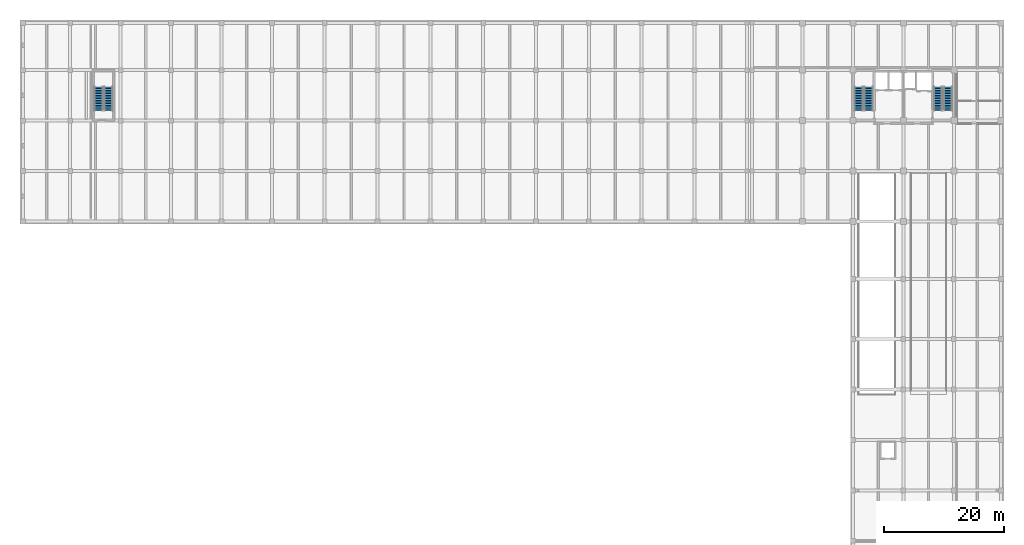
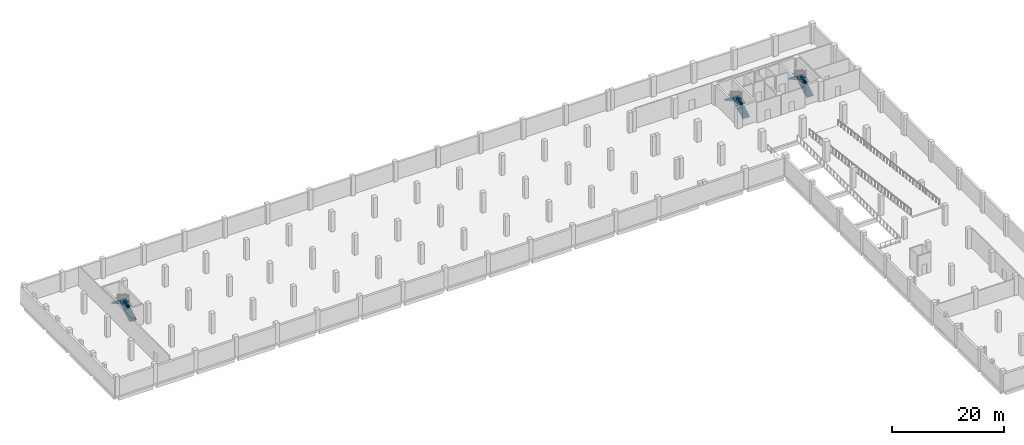
# One storey, part 14 of 17: 6 stair flights, 3 elements without a shape of their own.
"""IFC4 building model written with IfcOpenShell, lengths in metres."""

from ifc_helpers import new_model, si_unit, direction, frame, origin, place, context, subcontext, project, spatial, polyline, outline, extrude, material, type_object, element, aggregate, save


model = new_model("IFC4")

# Units and contexts
model_context = context("Model", 3, precision=1e-05, world=origin(), true_north=direction((0.0, 1.0)))
body_context = subcontext(model_context, "Body", "Model", "MODEL_VIEW")
ifc_project = project(units=[si_unit("LENGTHUNIT", "METRE"), si_unit("AREAUNIT", "SQUARE_METRE"), si_unit("VOLUMEUNIT", "CUBIC_METRE"), si_unit("PLANEANGLEUNIT", "RADIAN"), si_unit("MASSUNIT", "GRAM", prefix="KILO")], contexts=[model_context])

# Site, building, storey
site_placement = place(None, origin())
site = spatial("IfcSite", under=ifc_project, at=site_placement, CompositionType="ELEMENT")
building_placement = place(site_placement, origin())
building = spatial("IfcBuilding", under=site, at=building_placement, Name="Brinegate Botanical Conservatory", CompositionType="ELEMENT")
storey_placement = place(building_placement, frame((0.0, 0.0, -4.800048828125)))
storey = spatial("IfcBuildingStorey", under=building, at=storey_placement, Name="B1", CompositionType="ELEMENT", Elevation=-4.800048828125)

# Stair, stair flights
ifc_material = material(Name="Concrete C40/50", Category="concrete")
stair_type = type_object("IfcStairType", Name="Stair_HT-4800", PredefinedType="HALF_TURN_STAIR", material=ifc_material)
stair_1_placement = place(storey_placement, origin())
stair_1 = element("IfcStair", 1, at=stair_1_placement, inside=storey, type_object=stair_type, Name="B1 Tower West Smoke-Proof Stair ST1", PredefinedType="HALF_TURN_STAIR")
stair_flight_type = type_object("IfcStairFlightType", Name="Flight_SF-4800", PredefinedType="STRAIGHT", material=ifc_material)
stair_flight_1_placement = place(storey_placement, frame((141.425048828125, 96.89990234375, 0.0), z_axis=(0.0, 0.0, 1.0), x_axis=(0.0, 1.0, 0.0)))
stair_flight_1 = element("IfcStairFlight", 2, at=stair_flight_1_placement, type_object=stair_flight_type, Name="ST1 flight 1", NumberOfRisers=15, NumberOfTreads=14, PredefinedType="STRAIGHT", RiserHeight=0.16, TreadLength=0.28, context=body_context, shape_type="SweptSolid", body=[
    extrude(outline(polyline([(-0.00048828125, 0.0), (-0.00048828125, 0.159912109375), (0.280029296875, 0.159912109375), (0.280029296875, 0.320068359375), (0.56005859375, 0.320068359375), (0.56005859375, 0.47998046875), (0.840087890625, 0.47998046875), (0.840087890625, 0.639892578125), (1.1201171875, 0.639892578125), (1.1201171875, 0.800048828125), (1.39990234375, 0.800048828125), (1.39990234375, 0.9599609375), (1.679931640625, 0.9599609375), (1.679931640625, 1.1201171875), (1.9599609375, 1.1201171875), (1.9599609375, 1.280029296875), (2.239990234375, 1.280029296875), (2.239990234375, 1.43994140625), (2.52001953125, 1.43994140625), (2.52001953125, 1.60009765625), (2.800048828125, 1.60009765625), (2.800048828125, 1.760009765625), (3.080078125, 1.760009765625), (3.080078125, 1.919921875), (3.360107421875, 1.919921875), (3.360107421875, 2.080078125), (3.639892578125, 2.080078125), (3.639892578125, 2.239990234375), (3.919921875, 2.239990234375), (3.919921875, 2.39990234375), (3.92041015625, 2.39990234375), (3.92041015625, 2.0673828125), (0.30224609375, 0.0), (-0.00048828125, 0.0)])), frame((0.0, 0.72509765625, 0.0), z_axis=(0.0, -1.0, 0.0), x_axis=(1.0, 0.0, 0.0)), (0.0, 0.0, 1.0), 1.449951171875),
])
stair_flight_2_placement = place(storey_placement, frame((139.77490234375, 100.820068359375, 2.400146484375), z_axis=(0.0, 0.0, 1.0), x_axis=(0.0, -1.0, 0.0)))
stair_flight_2 = element("IfcStairFlight", 3, at=stair_flight_2_placement, type_object=stair_flight_type, Name="ST1 flight 2", NumberOfRisers=15, NumberOfTreads=14, PredefinedType="STRAIGHT", RiserHeight=0.16, TreadLength=0.28, context=body_context, shape_type="SweptSolid", body=[
    extrude(outline(polyline([(-0.00048828125, 0.0), (-0.00048828125, 0.159912109375), (0.280029296875, 0.159912109375), (0.280029296875, 0.320068359375), (0.56005859375, 0.320068359375), (0.56005859375, 0.47998046875), (0.840087890625, 0.47998046875), (0.840087890625, 0.639892578125), (1.1201171875, 0.639892578125), (1.1201171875, 0.800048828125), (1.39990234375, 0.800048828125), (1.39990234375, 0.9599609375), (1.679931640625, 0.9599609375), (1.679931640625, 1.1201171875), (1.9599609375, 1.1201171875), (1.9599609375, 1.280029296875), (2.239990234375, 1.280029296875), (2.239990234375, 1.43994140625), (2.52001953125, 1.43994140625), (2.52001953125, 1.60009765625), (2.800048828125, 1.60009765625), (2.800048828125, 1.760009765625), (3.080078125, 1.760009765625), (3.080078125, 1.919921875), (3.360107421875, 1.919921875), (3.360107421875, 2.080078125), (3.639892578125, 2.080078125), (3.639892578125, 2.239990234375), (3.919921875, 2.239990234375), (3.919921875, 2.39990234375), (3.92041015625, 2.39990234375), (3.92041015625, 2.0673828125), (0.30224609375, 0.0), (-0.00048828125, 0.0)])), frame((0.0, 0.72509765625, 0.0), z_axis=(0.0, -1.0, 0.0), x_axis=(1.0, 0.0, 0.0)), (0.0, 0.0, 1.0), 1.449951171875),
])
aggregate(stair_1, [stair_flight_1, stair_flight_2])

stair_2_placement = place(storey_placement, origin())
stair_2 = element("IfcStair", 4, at=stair_2_placement, inside=storey, type_object=stair_type, Name="B1 Tower East Smoke-Proof Stair ST2", PredefinedType="HALF_TURN_STAIR")
stair_flight_3_placement = place(storey_placement, frame((154.625, 96.89990234375, 0.0), z_axis=(0.0, 0.0, 1.0), x_axis=(0.0, 1.0, 0.0)))
stair_flight_3 = element("IfcStairFlight", 5, at=stair_flight_3_placement, type_object=stair_flight_type, Name="ST2 flight 1", NumberOfRisers=15, NumberOfTreads=14, PredefinedType="STRAIGHT", RiserHeight=0.16, TreadLength=0.28, context=body_context, shape_type="SweptSolid", body=[
    extrude(outline(polyline([(-0.00048828125, 0.0), (-0.00048828125, 0.159912109375), (0.280029296875, 0.159912109375), (0.280029296875, 0.320068359375), (0.56005859375, 0.320068359375), (0.56005859375, 0.47998046875), (0.840087890625, 0.47998046875), (0.840087890625, 0.639892578125), (1.1201171875, 0.639892578125), (1.1201171875, 0.800048828125), (1.39990234375, 0.800048828125), (1.39990234375, 0.9599609375), (1.679931640625, 0.9599609375), (1.679931640625, 1.1201171875), (1.9599609375, 1.1201171875), (1.9599609375, 1.280029296875), (2.239990234375, 1.280029296875), (2.239990234375, 1.43994140625), (2.52001953125, 1.43994140625), (2.52001953125, 1.60009765625), (2.800048828125, 1.60009765625), (2.800048828125, 1.760009765625), (3.080078125, 1.760009765625), (3.080078125, 1.919921875), (3.360107421875, 1.919921875), (3.360107421875, 2.080078125), (3.639892578125, 2.080078125), (3.639892578125, 2.239990234375), (3.919921875, 2.239990234375), (3.919921875, 2.39990234375), (3.92041015625, 2.39990234375), (3.92041015625, 2.0673828125), (0.30224609375, 0.0), (-0.00048828125, 0.0)])), frame((0.0, 0.72509765625, 0.0), z_axis=(0.0, -1.0, 0.0), x_axis=(1.0, 0.0, 0.0)), (0.0, 0.0, 1.0), 1.449951171875),
])
stair_flight_4_placement = place(storey_placement, frame((152.97509765625, 100.820068359375, 2.400146484375), z_axis=(0.0, 0.0, 1.0), x_axis=(0.0, -1.0, 0.0)))
stair_flight_4 = element("IfcStairFlight", 6, at=stair_flight_4_placement, type_object=stair_flight_type, Name="ST2 flight 2", NumberOfRisers=15, NumberOfTreads=14, PredefinedType="STRAIGHT", RiserHeight=0.16, TreadLength=0.28, context=body_context, shape_type="SweptSolid", body=[
    extrude(outline(polyline([(-0.00048828125, 0.0), (-0.00048828125, 0.159912109375), (0.280029296875, 0.159912109375), (0.280029296875, 0.320068359375), (0.56005859375, 0.320068359375), (0.56005859375, 0.47998046875), (0.840087890625, 0.47998046875), (0.840087890625, 0.639892578125), (1.1201171875, 0.639892578125), (1.1201171875, 0.800048828125), (1.39990234375, 0.800048828125), (1.39990234375, 0.9599609375), (1.679931640625, 0.9599609375), (1.679931640625, 1.1201171875), (1.9599609375, 1.1201171875), (1.9599609375, 1.280029296875), (2.239990234375, 1.280029296875), (2.239990234375, 1.43994140625), (2.52001953125, 1.43994140625), (2.52001953125, 1.60009765625), (2.800048828125, 1.60009765625), (2.800048828125, 1.760009765625), (3.080078125, 1.760009765625), (3.080078125, 1.919921875), (3.360107421875, 1.919921875), (3.360107421875, 2.080078125), (3.639892578125, 2.080078125), (3.639892578125, 2.239990234375), (3.919921875, 2.239990234375), (3.919921875, 2.39990234375), (3.92041015625, 2.39990234375), (3.92041015625, 2.0673828125), (0.30224609375, 0.0), (-0.00048828125, 0.0)])), frame((0.0, 0.72509765625, 0.0), z_axis=(0.0, -1.0, 0.0), x_axis=(1.0, 0.0, 0.0)), (0.0, 0.0, 1.0), 1.449951171875),
])
aggregate(stair_2, [stair_flight_3, stair_flight_4])

stair_3_placement = place(storey_placement, origin())
stair_3 = element("IfcStair", 7, at=stair_3_placement, inside=storey, type_object=stair_type, Name="B1 West Basement Car-Park Smoke-Proof Stair ST8", PredefinedType="HALF_TURN_STAIR")
stair_flight_5_placement = place(storey_placement, frame((14.77490234375, 96.89990234375, 0.0), z_axis=(0.0, 0.0, 1.0), x_axis=(0.0, 1.0, 0.0)))
stair_flight_5 = element("IfcStairFlight", 8, at=stair_flight_5_placement, type_object=stair_flight_type, Name="ST8 flight 1", NumberOfRisers=15, NumberOfTreads=14, PredefinedType="STRAIGHT", RiserHeight=0.16, TreadLength=0.28, context=body_context, shape_type="SweptSolid", body=[
    extrude(outline(polyline([(-0.00048828125, 0.0), (-0.00048828125, 0.159912109375), (0.280029296875, 0.159912109375), (0.280029296875, 0.320068359375), (0.56005859375, 0.320068359375), (0.56005859375, 0.47998046875), (0.840087890625, 0.47998046875), (0.840087890625, 0.639892578125), (1.1201171875, 0.639892578125), (1.1201171875, 0.800048828125), (1.39990234375, 0.800048828125), (1.39990234375, 0.9599609375), (1.679931640625, 0.9599609375), (1.679931640625, 1.1201171875), (1.9599609375, 1.1201171875), (1.9599609375, 1.280029296875), (2.239990234375, 1.280029296875), (2.239990234375, 1.43994140625), (2.52001953125, 1.43994140625), (2.52001953125, 1.60009765625), (2.800048828125, 1.60009765625), (2.800048828125, 1.760009765625), (3.080078125, 1.760009765625), (3.080078125, 1.919921875), (3.360107421875, 1.919921875), (3.360107421875, 2.080078125), (3.639892578125, 2.080078125), (3.639892578125, 2.239990234375), (3.919921875, 2.239990234375), (3.919921875, 2.39990234375), (3.92041015625, 2.39990234375), (3.92041015625, 2.0673828125), (0.30224609375, 0.0), (-0.00048828125, 0.0)])), frame((0.0, 0.72509765625, 0.0), z_axis=(0.0, -1.0, 0.0), x_axis=(1.0, 0.0, 0.0)), (0.0, 0.0, 1.0), 1.449951171875),
])
stair_flight_6_placement = place(storey_placement, frame((13.125, 100.820068359375, 2.400146484375), z_axis=(0.0, 0.0, 1.0), x_axis=(0.0, -1.0, 0.0)))
stair_flight_6 = element("IfcStairFlight", 9, at=stair_flight_6_placement, type_object=stair_flight_type, Name="ST8 flight 2", NumberOfRisers=15, NumberOfTreads=14, PredefinedType="STRAIGHT", RiserHeight=0.16, TreadLength=0.28, context=body_context, shape_type="SweptSolid", body=[
    extrude(outline(polyline([(-0.00048828125, 0.0), (-0.00048828125, 0.159912109375), (0.280029296875, 0.159912109375), (0.280029296875, 0.320068359375), (0.56005859375, 0.320068359375), (0.56005859375, 0.47998046875), (0.840087890625, 0.47998046875), (0.840087890625, 0.639892578125), (1.1201171875, 0.639892578125), (1.1201171875, 0.800048828125), (1.39990234375, 0.800048828125), (1.39990234375, 0.9599609375), (1.679931640625, 0.9599609375), (1.679931640625, 1.1201171875), (1.9599609375, 1.1201171875), (1.9599609375, 1.280029296875), (2.239990234375, 1.280029296875), (2.239990234375, 1.43994140625), (2.52001953125, 1.43994140625), (2.52001953125, 1.60009765625), (2.800048828125, 1.60009765625), (2.800048828125, 1.760009765625), (3.080078125, 1.760009765625), (3.080078125, 1.919921875), (3.360107421875, 1.919921875), (3.360107421875, 2.080078125), (3.639892578125, 2.080078125), (3.639892578125, 2.239990234375), (3.919921875, 2.239990234375), (3.919921875, 2.39990234375), (3.92041015625, 2.39990234375), (3.92041015625, 2.0673828125), (0.30224609375, 0.0), (-0.00048828125, 0.0)])), frame((0.0, 0.72509765625, 0.0), z_axis=(0.0, -1.0, 0.0), x_axis=(1.0, 0.0, 0.0)), (0.0, 0.0, 1.0), 1.449951171875),
])
aggregate(stair_3, [stair_flight_5, stair_flight_6])

save(model, "model.ifc")
